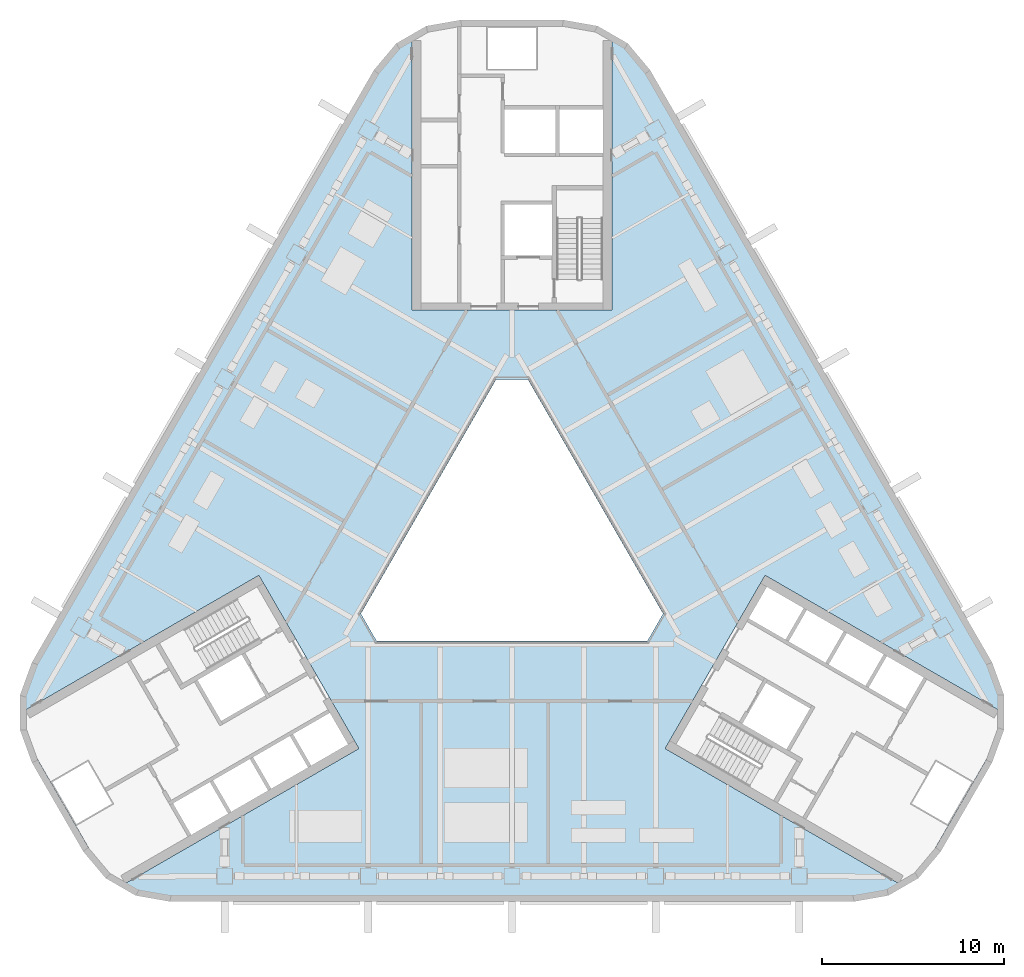
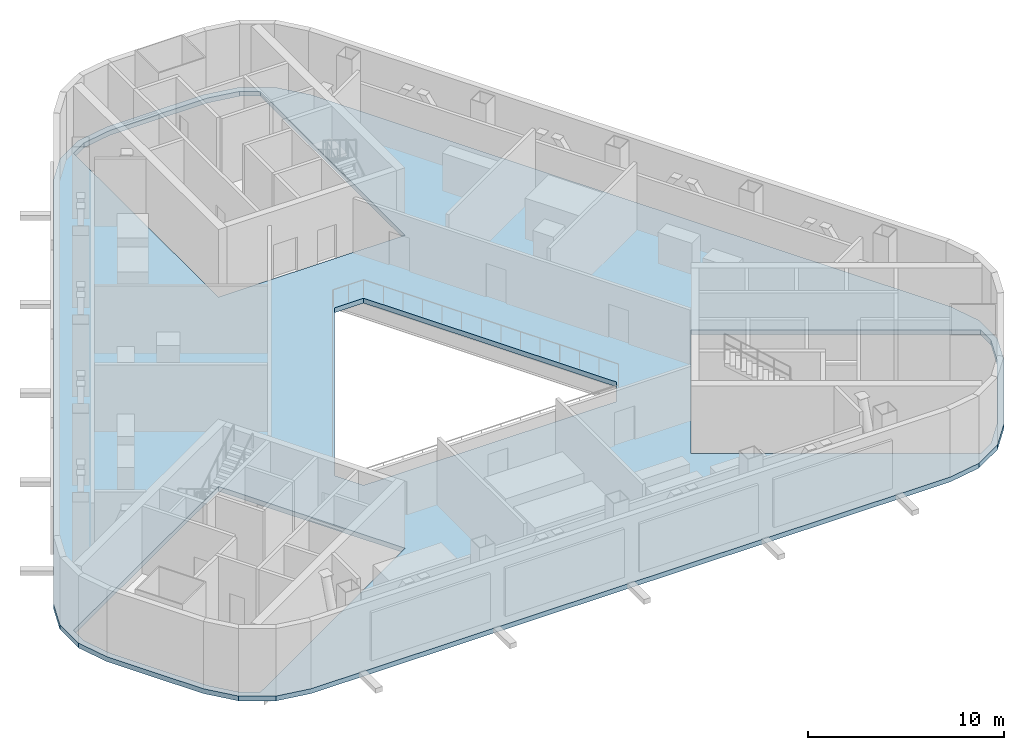
# One storey, part 5 of 15: 1 slab.
"""IFC4 building model written with IfcOpenShell, lengths in metres."""

import ifcopenshell
import ifcopenshell.guid

model = None  # the IFC model being written
_history = None  # IfcOwnerHistory: only IFC2X3 demands one
_inside = {}  # id of a spatial element -> (the spatial element, [elements in it])
_under = {}  # id of a project, library or spatial element -> (it, [spatial elements below it])
_declared = {}  # id of a project -> (the project, [libraries it declares])
_typed = {}  # id of a type object -> (the type object, [elements of that type])
_made_of = {}  # id of a material, layer set ... -> (it, [elements and type objects made of it])


def new_model(schema):
    """Start an empty IFC model of exactly this schema.

    Asked for "IFC4X3", IfcOpenShell would pick the latest addendum, in which some entities
    have other attributes; the version numbers below select the first issue.
    IFC2X3 requires an IfcOwnerHistory on every rooted entity: one is made here for all.
    """
    global model, _history
    if schema == "IFC4X3":
        model = ifcopenshell.file(schema_version=(4, 3, 0, 0))
    else:
        model = ifcopenshell.file(schema=schema)
    _inside.clear()
    _under.clear()
    _declared.clear()
    _typed.clear()
    _made_of.clear()
    _history = None
    if model.schema == "IFC2X3":
        org = make("IfcOrganization", Name="unknown")
        user = make(
            "IfcPersonAndOrganization",
            ThePerson=make("IfcPerson", FamilyName="unknown"),
            TheOrganization=org,
        )
        app = make(
            "IfcApplication",
            ApplicationDeveloper=org,
            Version="unknown",
            ApplicationFullName="unknown",
            ApplicationIdentifier="unknown",
        )
        _history = make(
            "IfcOwnerHistory",
            OwningUser=user,
            OwningApplication=app,
            ChangeAction="ADDED",
            CreationDate=0,
        )
    return model


def make(cls, **values):
    """One entity of the class cls with the attributes given. An attribute that is None is left unset."""
    return model.create_entity(
        cls, **{name: value for name, value in values.items() if value is not None}
    )


def rooted(cls, **values):
    """An entity with a GlobalId (a new one), such as an element, a storey or a relation."""
    return make(cls, GlobalId=ifcopenshell.guid.new(), OwnerHistory=_history, **values)


def si_unit(unit_type, name, prefix=None):
    """IfcSIUnit, for example si_unit("LENGTHUNIT", "METRE", prefix="MILLI")."""
    return make("IfcSIUnit", UnitType=unit_type, Prefix=prefix, Name=name)


def assignment(units):
    """IfcUnitAssignment: the units of a project."""
    return None if units is None else make("IfcUnitAssignment", Units=units)


def point(xyz):
    """IfcCartesianPoint."""
    return None if xyz is None else make("IfcCartesianPoint", Coordinates=xyz)


def direction(xyz):
    """IfcDirection."""
    return None if xyz is None else make("IfcDirection", DirectionRatios=xyz)


def frame(location, z_axis=None, x_axis=None):
    """IfcAxis2Placement3D, a coordinate frame: its origin and axes. An axis left out is left unset."""
    return make(
        "IfcAxis2Placement3D",
        Location=point(location),
        Axis=direction(z_axis),
        RefDirection=direction(x_axis),
    )


def origin():
    """The frame at (0, 0, 0) with its axes left unset."""
    return frame((0.0, 0.0, 0.0))


def place(relative_to, where):
    """IfcLocalPlacement: puts the frame where relative to a parent placement (None: the world)."""
    return make(
        "IfcLocalPlacement", PlacementRelTo=relative_to, RelativePlacement=where
    )


def context(
    kind, dimensions, precision=None, world=None, true_north=None, identifier=None
):
    """IfcGeometricRepresentationContext, for example the 3D "Model" context."""
    return make(
        "IfcGeometricRepresentationContext",
        ContextIdentifier=identifier,
        ContextType=kind,
        CoordinateSpaceDimension=dimensions,
        Precision=precision,
        WorldCoordinateSystem=world,
        TrueNorth=true_north,
    )


def subcontext(parent, identifier, kind, view, scale=None):
    """IfcGeometricRepresentationSubContext, for example "Body" below "Model"."""
    return make(
        "IfcGeometricRepresentationSubContext",
        ContextIdentifier=identifier,
        ContextType=kind,
        ParentContext=parent,
        TargetScale=scale,
        TargetView=view,
    )


def project(units=None, contexts=None):
    """IfcProject with its units and contexts."""
    return rooted(
        "IfcProject",
        Name="project",
        RepresentationContexts=contexts,
        UnitsInContext=assignment(units),
    )


def spatial(cls, under=None, at=None, **own):
    """A site, building, storey or space (cls), placed at a placement, below another one or the project."""
    s = rooted(cls, ObjectPlacement=at, **own)
    if under is not None:
        _under.setdefault(under.id(), (under, []))[1].append(s)
    return s


def polyline(points):
    """IfcPolyline through the points."""
    return make("IfcPolyline", Points=[point(p) for p in points])


def outline(outer, holes=None, kind="AREA"):
    """IfcArbitraryClosedProfileDef: a profile drawn as a closed curve; with holes, ...WithVoids."""
    if holes is None:
        return make("IfcArbitraryClosedProfileDef", ProfileType=kind, OuterCurve=outer)
    return make(
        "IfcArbitraryProfileDefWithVoids",
        ProfileType=kind,
        OuterCurve=outer,
        InnerCurves=holes,
    )


def extrude(swept, where, along, depth):
    """IfcExtrudedAreaSolid: the profile swept, set in the frame where, extruded along a direction by depth."""
    return make(
        "IfcExtrudedAreaSolid",
        SweptArea=swept,
        Position=where,
        ExtrudedDirection=direction(along),
        Depth=depth,
    )


def shape(context_of_items, identifier, shape_type, items):
    """IfcShapeRepresentation: the items that make up one representation, for example the "Body"."""
    return make(
        "IfcShapeRepresentation",
        ContextOfItems=context_of_items,
        RepresentationIdentifier=identifier,
        RepresentationType=shape_type,
        Items=items,
    )


def material(Name=None, Category=None):
    """IfcMaterial."""
    return make("IfcMaterial", Name=Name, Category=Category)


def layer(
    of_material, thickness, ventilated=None, Name=None, Category=None, Priority=None
):
    """IfcMaterialLayer: one layer of a wall or slab, of a material (None: an air gap)."""
    return make(
        "IfcMaterialLayer",
        Material=of_material,
        LayerThickness=thickness,
        IsVentilated=ventilated,
        Name=Name,
        Category=Category,
        Priority=Priority,
    )


def layer_set(layers, Name=None):
    """IfcMaterialLayerSet."""
    return make("IfcMaterialLayerSet", MaterialLayers=layers, LayerSetName=Name)


def made_of(thing, what):
    """Note that an element or type object is made of a material, layer set ...; save() writes the relation."""
    if what is not None:
        _made_of.setdefault(what.id(), (what, []))[1].append(thing)
    return thing


def type_object(cls, material=None, **own):
    """A type object (cls), such as IfcWallType, which elements share."""
    return made_of(rooted(cls, **own), material)


def element(
    cls,
    number,
    at=None,
    inside=None,
    cuts=None,
    type_object=None,
    material=None,
    context=None,
    identifier="Body",
    shape_type=None,
    held_by="IfcProductDefinitionShape",
    body=None,
    shapes=None,
    **own,
):
    """One element of the class cls, such as IfcWall. Its Tag is "e" and its number.

    at: its placement. inside: the storey or other place that contains it. cuts: it is an
    opening in that element (IfcRelVoidsElement). A single representation is given by context,
    identifier, shape_type and body (its items); several are given by shapes. held_by: the class
    of the entity that holds the representations. save() writes the other relations.
    """
    e = rooted(cls, Tag="e%d" % number, ObjectPlacement=at, **own)
    if body is not None:
        shapes = [shape(context, identifier, shape_type, body)]
    if shapes is not None:
        e.Representation = make(held_by, Representations=shapes)
    if inside is not None:
        _inside.setdefault(inside.id(), (inside, []))[1].append(e)
    if cuts is not None:
        rooted(
            "IfcRelVoidsElement", RelatingBuildingElement=cuts, RelatedOpeningElement=e
        )
    if type_object is not None:
        _typed.setdefault(type_object.id(), (type_object, []))[1].append(e)
    return made_of(e, material)


def aggregate(whole, parts):
    """IfcRelAggregates: a whole, such as a stair, and the parts it consists of."""
    return rooted("IfcRelAggregates", RelatingObject=whole, RelatedObjects=parts)


def save(model, path):
    """Write the relations noted so far, then the file.

    IfcRelAggregates (storeys below a building ...), IfcRelContainedInSpatialStructure (elements
    in a storey), IfcRelDefinesByType, IfcRelAssociatesMaterial and IfcRelDeclares: one each for
    every whole, place, type object, material and project.
    """
    for whole, parts in _under.values():
        aggregate(whole, parts)
    for where, things in _inside.values():
        rooted(
            "IfcRelContainedInSpatialStructure",
            RelatedElements=things,
            RelatingStructure=where,
        )
    for kind, things in _typed.values():
        rooted("IfcRelDefinesByType", RelatedObjects=things, RelatingType=kind)
    for what, things in _made_of.values():
        rooted("IfcRelAssociatesMaterial", RelatedObjects=things, RelatingMaterial=what)
    for by, libraries in _declared.values():
        rooted("IfcRelDeclares", RelatingContext=by, RelatedDefinitions=libraries)
    model.write(path)


model = new_model("IFC4")

# Units and contexts
model_context = context("Model", 3, precision=1e-05, world=origin(), true_north=direction((0.0, 1.0)))
body_context = subcontext(model_context, "Body", "Model", "MODEL_VIEW")
ifc_project = project(units=[si_unit("LENGTHUNIT", "METRE"), si_unit("AREAUNIT", "SQUARE_METRE"), si_unit("VOLUMEUNIT", "CUBIC_METRE"), si_unit("PLANEANGLEUNIT", "RADIAN"), si_unit("MASSUNIT", "GRAM", prefix="KILO")], contexts=[model_context])

# Site, building, storey
site_placement = place(None, origin())
site = spatial("IfcSite", under=ifc_project, at=site_placement, CompositionType="ELEMENT")
building_placement = place(site_placement, origin())
building = spatial("IfcBuilding", under=site, at=building_placement, Name="Apuvela Tower Hotel", CompositionType="ELEMENT")
storey_placement = place(building_placement, frame((0.0, 0.0, 137.60009765625)))
storey = spatial("IfcBuildingStorey", under=building, at=storey_placement, Name="L32 Plant", CompositionType="ELEMENT", Elevation=137.60009765625)

# Slab
ifc_material = material(Name="Concrete C35/45", Category="concrete")
ifc_layer = layer(ifc_material, 0.300048828125)
ifc_layer_set = layer_set([ifc_layer], Name="STR-SLAB 300 floor Concrete C35/45")
slab_type = type_object("IfcSlabType", Name="STR-SLAB 300 floor Concrete C35/45", PredefinedType="FLOOR", material=ifc_layer_set)
slab_placement = place(storey_placement, frame((0.0, 0.0, -0.300048828125)))
element("IfcSlab", 1, at=slab_placement, inside=storey, type_object=slab_type, Name="Floor slab S2 L32 Plant", PredefinedType="FLOOR", context=body_context, shape_type="SweptSolid", body=[
    extrude(outline(polyline([(7.59228515625, 26.110107421875), (6.3642578125, 27.5732421875), (4.710205078125, 28.5283203125), (2.8291015625, 28.860107421875), (-2.8291015625, 28.860107421875), (-4.710205078125, 28.5283203125), (-6.3642578125, 27.5732421875), (-7.59228515625, 26.110107421875), (-26.407958984375, -6.47998046875), (-27.061279296875, -8.27490234375), (-27.061279296875, -10.18505859375), (-26.407958984375, -11.97998046875), (-23.5791015625, -16.8798828125), (-22.351318359375, -18.34326171875), (-20.697021484375, -19.29833984375), (-18.81591796875, -19.6298828125), (18.81591796875, -19.6298828125), (20.697021484375, -19.29833984375), (22.351318359375, -18.34326171875), (23.5791015625, -16.8798828125), (26.407958984375, -11.97998046875), (27.061279296875, -10.18505859375), (27.061279296875, -8.27490234375), (26.407958984375, -6.47998046875), (7.59228515625, 26.110107421875)]), holes=[polyline([(0.865966796875, 9.10009765625), (-0.865966796875, 9.10009765625), (-8.313720703125, -3.800048828125), (-7.44775390625, -5.300048828125), (7.44775390625, -5.300048828125), (8.313720703125, -3.800048828125), (0.865966796875, 9.10009765625)]), polyline([(-5.5, 12.89990234375), (-5.5, 27.668212890625), (-4.588623046875, 28.1943359375), (-2.85498046875, 28.5), (2.85498046875, 28.5), (4.588623046875, 28.1943359375), (5.5, 27.668212890625), (5.5, 12.89990234375), (-5.5, 12.89990234375)]), polyline([(-8.421630859375, -11.213134765625), (-21.211181640625, -18.59716796875), (-22.122802734375, -18.071044921875), (-23.254150390625, -16.72265625), (-26.109375, -11.77734375), (-26.711181640625, -10.123291015625), (-26.711181640625, -9.07080078125), (-13.921630859375, -1.68701171875), (-8.421630859375, -11.213134765625)]), polyline([(13.921630859375, -1.68701171875), (26.711181640625, -9.07080078125), (26.711181640625, -10.123291015625), (26.109375, -11.77734375), (23.254150390625, -16.72265625), (22.122802734375, -18.071044921875), (21.211181640625, -18.59716796875), (8.421630859375, -11.213134765625), (13.921630859375, -1.68701171875)])]), origin(), (0.0, 0.0, 1.0), 0.300048828125),
])

save(model, "model.ifc")
